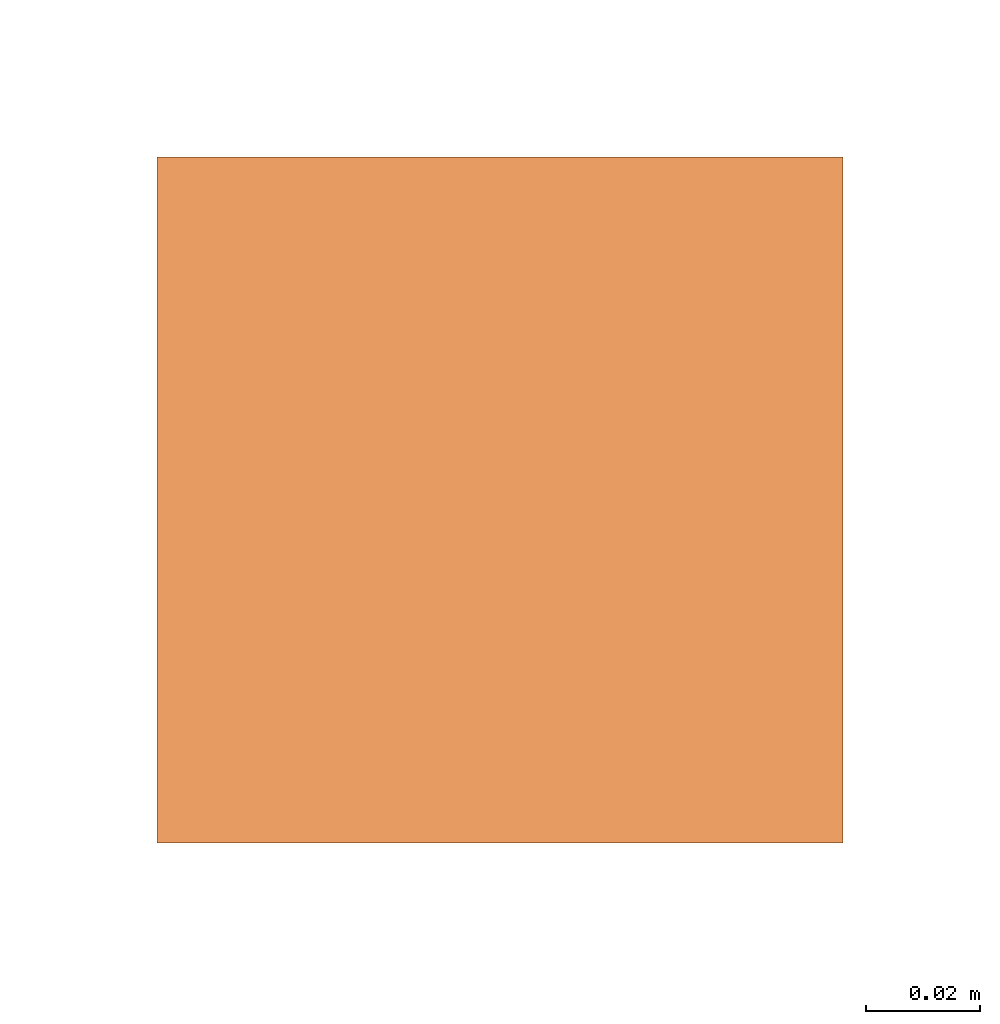
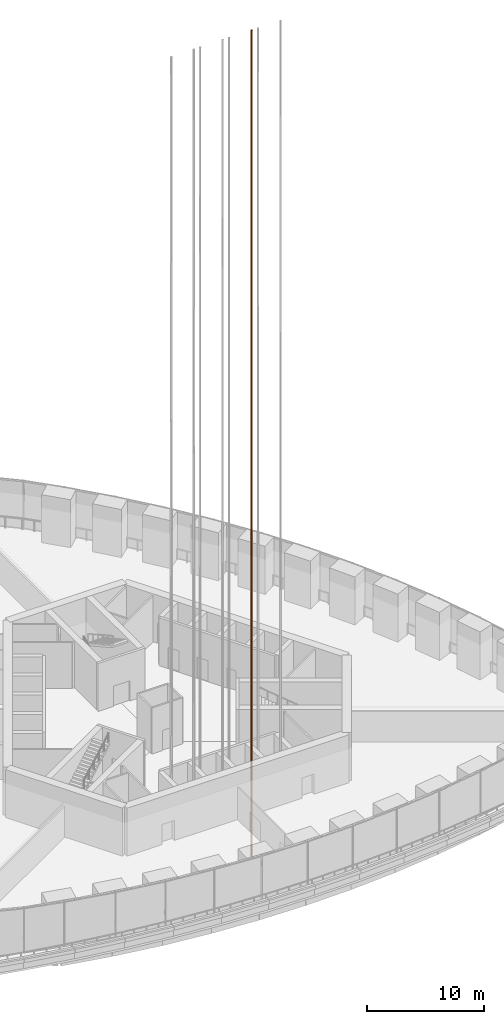
# One storey, part 29 of 31: 1 proxy.
"""IFC4 building model written with IfcOpenShell, lengths in metres."""

from ifc_helpers import new_model, si_unit, direction, frame, origin, origin_2d, place, context, subcontext, project, spatial, rectangle, extrude, element, save


model = new_model("IFC4")

# Units and contexts
model_context = context("Model", 3, precision=1e-05, world=origin(), true_north=direction((0.0, 1.0)))
body_context = subcontext(model_context, "Body", "Model", "MODEL_VIEW")
ifc_project = project(units=[si_unit("LENGTHUNIT", "METRE"), si_unit("AREAUNIT", "SQUARE_METRE"), si_unit("VOLUMEUNIT", "CUBIC_METRE"), si_unit("PLANEANGLEUNIT", "RADIAN"), si_unit("MASSUNIT", "GRAM", prefix="KILO")], contexts=[model_context])

# Site, building, storey
site_placement = place(None, origin())
site = spatial("IfcSite", under=ifc_project, at=site_placement, CompositionType="ELEMENT")
building_placement = place(site_placement, origin())
building = spatial("IfcBuilding", under=site, at=building_placement, Name="Trefoil Bronze Tower", CompositionType="ELEMENT")
storey_placement = place(building_placement, frame((0.0, 0.0, 184.699951171875)))
storey = spatial("IfcBuildingStorey", under=building, at=storey_placement, Name="L42", CompositionType="ELEMENT", Elevation=184.699951171875)

# Proxy
proxy_placement = place(storey_placement, frame((2.534912109375, -11.3125, -6.0), z_axis=(0.0, 0.0, 1.0), x_axis=(1.0, 0.0, 0.0)))
element("IfcBuildingElementProxy", 1, at=proxy_placement, inside=storey, Name="Lift P33 guide rail 2", ObjectType="LIFT GUIDE RAIL", PredefinedType="USERDEFINED", context=body_context, shape_type="SweptSolid", body=[
    extrude(rectangle(XDim=0.1201171875, YDim=0.1201171875, at=origin_2d()), origin(), (0.0, 0.0, 1.0), 86.25),
])

save(model, "model.ifc")
